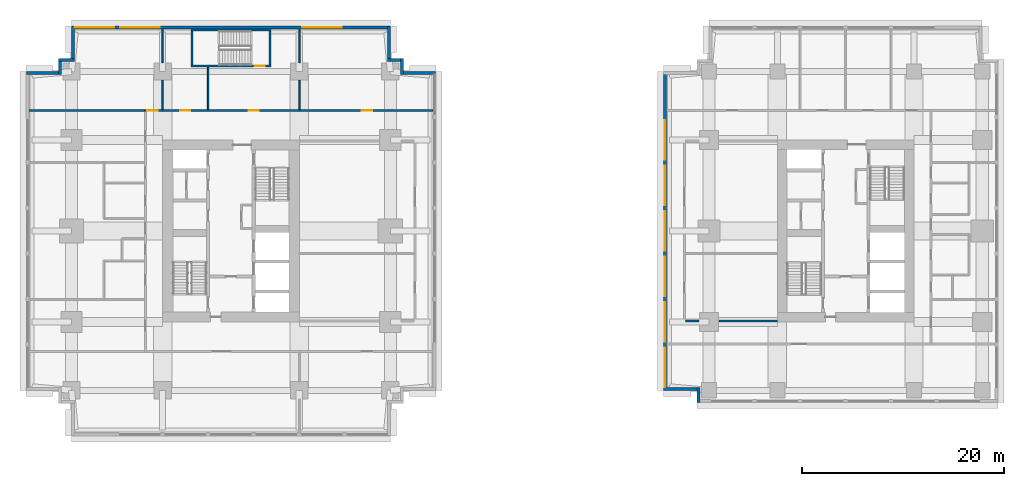
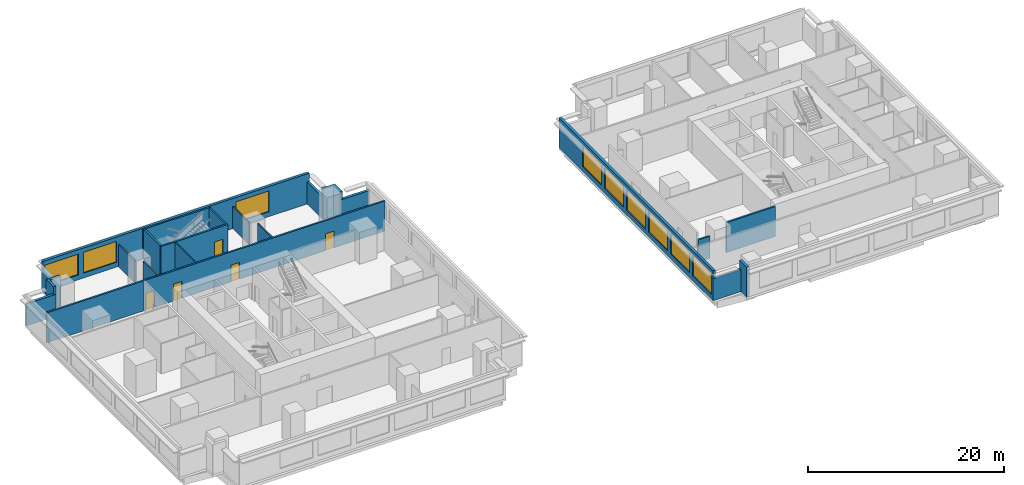
# One storey, part 5 of 10: 25 walls, 9 windows, 5 doors, 14 openings.
"""IFC4 building model written with IfcOpenShell, lengths in metres."""

from ifc_helpers import new_model, si_unit, direction, frame, frame_2d, origin, place, context, subcontext, project, spatial, rectangle, extrude, material, layer, layer_set, type_object, element, fill, save


model = new_model("IFC4")

# Units and contexts
model_context = context("Model", 3, precision=1e-05, world=origin(), true_north=direction((0.0, 1.0)))
body_context = subcontext(model_context, "Body", "Model", "MODEL_VIEW")
ifc_project = project(units=[si_unit("LENGTHUNIT", "METRE"), si_unit("AREAUNIT", "SQUARE_METRE"), si_unit("VOLUMEUNIT", "CUBIC_METRE"), si_unit("PLANEANGLEUNIT", "RADIAN"), si_unit("MASSUNIT", "GRAM", prefix="KILO")], contexts=[model_context])

# Site, building, storey
site_placement = place(None, origin())
site = spatial("IfcSite", under=ifc_project, at=site_placement, CompositionType="ELEMENT")
building_placement = place(site_placement, origin())
building = spatial("IfcBuilding", under=site, at=building_placement, Name="Namib Vertical Campus", CompositionType="ELEMENT")
storey_placement = place(building_placement, frame((0.0, 0.0, 165.0)))
storey = spatial("IfcBuildingStorey", under=building, at=storey_placement, Name="L39", CompositionType="ELEMENT", Elevation=165.0)

# Wall, openings, doors
ifc_material_1 = material(Name="Concrete masonry", Category="masonry")
ifc_layer_1 = layer(ifc_material_1, 0.199951171875)
ifc_layer_set_1 = layer_set([ifc_layer_1], Name="Corridor wall 200")
wall_type_1 = type_object("IfcWallType", Name="Corridor wall 200", PredefinedType="SOLIDWALL", material=ifc_layer_set_1)
wall_1_placement = place(storey_placement, frame((40.199951171875, 32.14990234375, 0.0), z_axis=(0.0, 0.0, 1.0), x_axis=(-1.0, 0.0, 0.0)))
wall_1 = element("IfcWall", 1, at=wall_1_placement, inside=storey, type_object=wall_type_1, Name="Corridor wall A L39 CN", PredefinedType="SOLIDWALL", context=body_context, shape_type="SweptSolid", body=[
    extrude(rectangle(XDim=28.5, YDim=0.199951171875, at=frame_2d((14.25, 0.0))), origin(), (0.0, 0.0, 1.0), 3.75),
])
opening_1_placement = place(wall_1_placement, frame((27.199951171875, 0.0, 0.0)))
opening_1 = element("IfcOpeningElement", 2, at=opening_1_placement, cuts=wall_1, Name="Opening CD1", PredefinedType="OPENING", context=body_context, shape_type="SweptSolid", body=[
    extrude(rectangle(XDim=1.0, YDim=2.10009765625, at=frame_2d((0.5, 1.050048828125))), frame((0.0, 0.10986328125, 0.0), z_axis=(0.0, -1.0, 0.0), x_axis=(1.0, 0.0, 0.0)), (0.0, 0.0, 1.0), 0.219970703125),
])
opening_2_placement = place(wall_1_placement, frame((23.949951171875, 0.0, 0.0)))
opening_2 = element("IfcOpeningElement", 3, at=opening_2_placement, cuts=wall_1, Name="Opening CD1", PredefinedType="OPENING", context=body_context, shape_type="SweptSolid", body=[
    extrude(rectangle(XDim=1.0, YDim=2.10009765625, at=frame_2d((0.5, 1.050048828125))), frame((0.0, 0.10986328125, 0.0), z_axis=(0.0, -1.0, 0.0), x_axis=(1.0, 0.0, 0.0)), (0.0, 0.0, 1.0), 0.219970703125),
])
opening_3_placement = place(wall_1_placement, frame((17.199951171875, 0.0, 0.0)))
opening_3 = element("IfcOpeningElement", 4, at=opening_3_placement, cuts=wall_1, Name="Opening CD1", PredefinedType="OPENING", context=body_context, shape_type="SweptSolid", body=[
    extrude(rectangle(XDim=1.0, YDim=2.10009765625, at=frame_2d((0.5, 1.050048828125))), frame((0.0, 0.10986328125, 0.0), z_axis=(0.0, -1.0, 0.0), x_axis=(1.0, 0.0, 0.0)), (0.0, 0.0, 1.0), 0.219970703125),
])
opening_4_placement = place(wall_1_placement, frame((6.0, 0.0, 0.0)))
opening_4 = element("IfcOpeningElement", 5, at=opening_4_placement, cuts=wall_1, Name="Opening CD1", PredefinedType="OPENING", context=body_context, shape_type="SweptSolid", body=[
    extrude(rectangle(XDim=1.0, YDim=2.10009765625, at=frame_2d((0.5, 1.050048828125))), frame((0.0, 0.10986328125, 0.0), z_axis=(0.0, -1.0, 0.0), x_axis=(1.0, 0.0, 0.0)), (0.0, 0.0, 1.0), 0.219970703125),
])
ifc_material_2 = material(Name="Timber fire door leaf", Category="wood")
door_type_1 = type_object("IfcDoorType", Name="Corridor door 1000x2100 20 min", OperationType="SINGLE_SWING_LEFT", PredefinedType="DOOR", material=ifc_material_2)
door_1_placement = place(opening_1_placement, frame((1.0, 0.0, 0.0), z_axis=(0.0, 0.0, 1.0), x_axis=(-1.0, 0.0, 0.0)))
door_1 = element("IfcDoor", 6, at=door_1_placement, inside=storey, type_object=door_type_1, Name="Door CD1 A39-05", OperationType="SINGLE_SWING_RIGHT", OverallHeight=2.10009765625, OverallWidth=1.0, PredefinedType="DOOR", context=body_context, shape_type="SweptSolid", body=[
    extrude(rectangle(XDim=1.0, YDim=2.10009765625, at=frame_2d((0.5, 1.050048828125))), frame((0.0, 0.02490234375, 0.0), z_axis=(0.0, -1.0, 0.0), x_axis=(1.0, 0.0, 0.0)), (0.0, 0.0, 1.0), 0.050048828125),
])
fill(opening_1, door_1)
door_2_placement = place(opening_2_placement, frame((1.0, 0.0, 0.0), z_axis=(0.0, 0.0, 1.0), x_axis=(-1.0, 0.0, 0.0)))
door_2 = element("IfcDoor", 7, at=door_2_placement, inside=storey, type_object=door_type_1, Name="Door CD1 A39-06", OperationType="SINGLE_SWING_RIGHT", OverallHeight=2.10009765625, OverallWidth=1.0, PredefinedType="DOOR", context=body_context, shape_type="SweptSolid", body=[
    extrude(rectangle(XDim=1.0, YDim=2.10009765625, at=frame_2d((0.5, 1.050048828125))), frame((0.0, 0.02490234375, 0.0), z_axis=(0.0, -1.0, 0.0), x_axis=(1.0, 0.0, 0.0)), (0.0, 0.0, 1.0), 0.050048828125),
])
fill(opening_2, door_2)
door_3_placement = place(opening_3_placement, frame((1.0, 0.0, 0.0), z_axis=(0.0, 0.0, 1.0), x_axis=(-1.0, 0.0, 0.0)))
door_3 = element("IfcDoor", 8, at=door_3_placement, inside=storey, type_object=door_type_1, Name="Door CD1 A39-07", OperationType="SINGLE_SWING_RIGHT", OverallHeight=2.10009765625, OverallWidth=1.0, PredefinedType="DOOR", context=body_context, shape_type="SweptSolid", body=[
    extrude(rectangle(XDim=1.0, YDim=2.10009765625, at=frame_2d((0.5, 1.050048828125))), frame((0.0, 0.02490234375, 0.0), z_axis=(0.0, -1.0, 0.0), x_axis=(1.0, 0.0, 0.0)), (0.0, 0.0, 1.0), 0.050048828125),
])
fill(opening_3, door_3)
door_4_placement = place(opening_4_placement, frame((1.0, 0.0, 0.0), z_axis=(0.0, 0.0, 1.0), x_axis=(-1.0, 0.0, 0.0)))
door_4 = element("IfcDoor", 9, at=door_4_placement, inside=storey, type_object=door_type_1, Name="Door CD1 A39-08", OperationType="SINGLE_SWING_LEFT", OverallHeight=2.10009765625, OverallWidth=1.0, PredefinedType="DOOR", context=body_context, shape_type="SweptSolid", body=[
    extrude(rectangle(XDim=1.0, YDim=2.10009765625, at=frame_2d((0.5, 1.050048828125))), frame((0.0, 0.02490234375, 0.0), z_axis=(0.0, -1.0, 0.0), x_axis=(1.0, 0.0, 0.0)), (0.0, 0.0, 1.0), 0.050048828125),
])
fill(opening_4, door_4)

# Walls
wall_2_placement = place(storey_placement, frame((0.300048828125, 32.14990234375, 0.0), z_axis=(0.0, 0.0, 1.0), x_axis=(1.0, 0.0, 0.0)))
element("IfcWall", 10, at=wall_2_placement, inside=storey, type_object=wall_type_1, Name="Partition A L39 BNW", PredefinedType="SOLIDWALL", context=body_context, shape_type="SweptSolid", body=[
    extrude(rectangle(XDim=11.39990234375, YDim=0.199951171875, at=frame_2d((5.699951171875, 0.0))), origin(), (0.0, 0.0, 1.0), 3.75),
])
wall_3_placement = place(storey_placement, frame((65.14990234375, 11.35009765625, 0.0), z_axis=(0.0, 0.0, 1.0), x_axis=(1.0, 0.0, 0.0)))
element("IfcWall", 11, at=wall_3_placement, inside=storey, type_object=wall_type_1, Name="Corridor wall B L39 GS", PredefinedType="SOLIDWALL", context=body_context, shape_type="SweptSolid", body=[
    extrude(rectangle(XDim=1.380126953125, YDim=0.199951171875, at=frame_2d((0.68994140625, 0.0))), origin(), (0.0, 0.0, 1.0), 2.75),
])
wall_4_placement = place(storey_placement, frame((68.469970703125, 11.35009765625, 0.0), z_axis=(0.0, 0.0, 1.0), x_axis=(1.0, 0.0, 0.0)))
element("IfcWall", 12, at=wall_4_placement, inside=storey, type_object=wall_type_1, Name="Corridor wall B L39 GS", PredefinedType="SOLIDWALL", context=body_context, shape_type="SweptSolid", body=[
    extrude(rectangle(XDim=5.780029296875, YDim=0.199951171875, at=frame_2d((2.89013671875, 0.0))), origin(), (0.0, 0.0, 1.0), 3.75),
])
ifc_material_3 = material(Name="Concrete C40/50", Category="concrete")
ifc_layer_2 = layer(ifc_material_3, 0.300048828125)
ifc_layer_set_2 = layer_set([ifc_layer_2], Name="Concrete C40/50")
wall_type_2 = type_object("IfcWallType", Name="External wall 300 board-marked concrete", PredefinedType="STANDARD", material=ifc_layer_set_2)
wall_5_placement = place(storey_placement, frame((40.47998046875, 35.85009765625, 0.0), z_axis=(0.0, 0.0, 1.0), x_axis=(-1.0, 0.0, 0.0)))
element("IfcWall", 13, at=wall_5_placement, inside=storey, type_object=wall_type_2, Name="External wall L39 F07", PredefinedType="STANDARD", context=body_context, shape_type="SweptSolid", body=[
    extrude(rectangle(XDim=3.4599609375, YDim=0.300048828125, at=frame_2d((1.72998046875, 0.0))), origin(), (0.0, 0.0, 1.0), 2.75),
])
for number, where, z_axis, x_axis, name in (
    (14, (37.14990234375, 35.719970703125, 0.0), (0.0, 0.0, 1.0), (0.0, 1.0, 0.0), "External wall L39 F08"),
    (15, (37.280029296875, 37.14990234375, 0.0), (0.0, 0.0, 1.0), (-1.0, 0.0, 0.0), "External wall L39 F09"),
):
    element("IfcWall", number, at=place(storey_placement, frame(where, z_axis=z_axis, x_axis=x_axis)), inside=storey, type_object=wall_type_2, Name=name, PredefinedType="STANDARD", context=body_context, shape_type="SweptSolid", body=[
        extrude(rectangle(XDim=1.56005859375, YDim=0.300048828125, at=frame_2d((0.780029296875, 0.0))), origin(), (0.0, 0.0, 1.0), 3.75),
    ])
wall_6_placement = place(storey_placement, frame((35.85009765625, 37.02001953125, 0.0), z_axis=(0.0, 0.0, 1.0), x_axis=(0.0, 1.0, 0.0)))
element("IfcWall", 16, at=wall_6_placement, inside=storey, type_object=wall_type_2, Name="External wall L39 F10", PredefinedType="STANDARD", context=body_context, shape_type="SweptSolid", body=[
    extrude(rectangle(XDim=3.4599609375, YDim=0.300048828125, at=frame_2d((1.72998046875, 0.0))), origin(), (0.0, 0.0, 1.0), 2.75),
])

# Wall, openings, windows
wall_7_placement = place(storey_placement, frame((35.97998046875, 40.35009765625, 0.0), z_axis=(0.0, 0.0, 1.0), x_axis=(-1.0, 0.0, 0.0)))
wall_7 = element("IfcWall", 17, at=wall_7_placement, inside=storey, type_object=wall_type_2, Name="External wall L39 F11", PredefinedType="STANDARD", context=body_context, shape_type="SweptSolid", body=[
    extrude(rectangle(XDim=31.4599609375, YDim=0.300048828125, at=frame_2d((15.72998046875, 0.0))), origin(), (0.0, 0.0, 1.0), 3.75),
])
opening_5_placement = place(wall_7_placement, frame((27.280029296875, 0.0, 0.60009765625)))
opening_5 = element("IfcOpeningElement", 18, at=opening_5_placement, cuts=wall_7, Name="Opening W2", PredefinedType="OPENING", context=body_context, shape_type="SweptSolid", body=[
    extrude(rectangle(XDim=3.89990234375, YDim=2.60009765625, at=frame_2d((1.949951171875, 1.300048828125))), frame((0.0, 0.159912109375, 0.0), z_axis=(0.0, -1.0, 0.0), x_axis=(1.0, 0.0, 0.0)), (0.0, 0.0, 1.0), 0.320068359375),
])
opening_6_placement = place(wall_7_placement, frame((22.780029296875, 0.0, 0.60009765625)))
opening_6 = element("IfcOpeningElement", 19, at=opening_6_placement, cuts=wall_7, Name="Opening W2", PredefinedType="OPENING", context=body_context, shape_type="SweptSolid", body=[
    extrude(rectangle(XDim=3.89990234375, YDim=2.60009765625, at=frame_2d((1.949951171875, 1.300048828125))), frame((0.0, 0.159912109375, 0.0), z_axis=(0.0, -1.0, 0.0), x_axis=(1.0, 0.0, 0.0)), (0.0, 0.0, 1.0), 0.320068359375),
])
opening_7_placement = place(wall_7_placement, frame((4.780029296875, 0.0, 0.60009765625)))
opening_7 = element("IfcOpeningElement", 20, at=opening_7_placement, cuts=wall_7, Name="Opening W2", PredefinedType="OPENING", context=body_context, shape_type="SweptSolid", body=[
    extrude(rectangle(XDim=3.89990234375, YDim=2.60009765625, at=frame_2d((1.949951171875, 1.300048828125))), frame((0.0, 0.159912109375, 0.0), z_axis=(0.0, -1.0, 0.0), x_axis=(1.0, 0.0, 0.0)), (0.0, 0.0, 1.0), 0.320068359375),
])
ifc_material_4 = material(Name="Dark tinted glass in black aluminium frame", Category="aluminium")
window_type = type_object("IfcWindowType", Name="Ribbon window 3900x2600", PartitioningType="SINGLE_PANEL", PredefinedType="WINDOW", material=ifc_material_4)
window_1_placement = place(opening_5_placement, origin())
window_1 = element("IfcWindow", 21, at=window_1_placement, inside=storey, type_object=window_type, Name="Window W2 L39 F11-1", OverallHeight=2.60009765625, OverallWidth=3.89990234375, PartitioningType="SINGLE_PANEL", PredefinedType="WINDOW", context=body_context, shape_type="SweptSolid", body=[
    extrude(rectangle(XDim=3.89990234375, YDim=2.60009765625, at=frame_2d((1.949951171875, 1.300048828125))), frame((0.0, 0.030029296875, 0.0), z_axis=(0.0, -1.0, 0.0), x_axis=(1.0, 0.0, 0.0)), (0.0, 0.0, 1.0), 0.06005859375),
])
fill(opening_5, window_1)
window_2_placement = place(opening_6_placement, origin())
window_2 = element("IfcWindow", 22, at=window_2_placement, inside=storey, type_object=window_type, Name="Window W2 L39 F11-2", OverallHeight=2.60009765625, OverallWidth=3.89990234375, PartitioningType="SINGLE_PANEL", PredefinedType="WINDOW", context=body_context, shape_type="SweptSolid", body=[
    extrude(rectangle(XDim=3.89990234375, YDim=2.60009765625, at=frame_2d((1.949951171875, 1.300048828125))), frame((0.0, 0.030029296875, 0.0), z_axis=(0.0, -1.0, 0.0), x_axis=(1.0, 0.0, 0.0)), (0.0, 0.0, 1.0), 0.06005859375),
])
fill(opening_6, window_2)
window_3_placement = place(opening_7_placement, origin())
window_3 = element("IfcWindow", 23, at=window_3_placement, inside=storey, type_object=window_type, Name="Window W2 L39 F11-6", OverallHeight=2.60009765625, OverallWidth=3.89990234375, PartitioningType="SINGLE_PANEL", PredefinedType="WINDOW", context=body_context, shape_type="SweptSolid", body=[
    extrude(rectangle(XDim=3.89990234375, YDim=2.60009765625, at=frame_2d((1.949951171875, 1.300048828125))), frame((0.0, 0.030029296875, 0.0), z_axis=(0.0, -1.0, 0.0), x_axis=(1.0, 0.0, 0.0)), (0.0, 0.0, 1.0), 0.06005859375),
])
fill(opening_7, window_3)

# Walls
wall_8_placement = place(storey_placement, frame((4.64990234375, 40.47998046875, 0.0), z_axis=(0.0, 0.0, 1.0), x_axis=(0.0, -1.0, 0.0)))
element("IfcWall", 24, at=wall_8_placement, inside=storey, type_object=wall_type_2, Name="External wall L39 F12", PredefinedType="STANDARD", context=body_context, shape_type="SweptSolid", body=[
    extrude(rectangle(XDim=3.4599609375, YDim=0.300048828125, at=frame_2d((1.72998046875, 0.0))), origin(), (0.0, 0.0, 1.0), 2.75),
])
for number, where, z_axis, x_axis, name in (
    (25, (4.780029296875, 37.14990234375, 0.0), (0.0, 0.0, 1.0), (-1.0, 0.0, 0.0), "External wall L39 F13"),
    (26, (3.35009765625, 37.280029296875, 0.0), (0.0, 0.0, 1.0), (0.0, -1.0, 0.0), "External wall L39 F14"),
):
    element("IfcWall", number, at=place(storey_placement, frame(where, z_axis=z_axis, x_axis=x_axis)), inside=storey, type_object=wall_type_2, Name=name, PredefinedType="STANDARD", context=body_context, shape_type="SweptSolid", body=[
        extrude(rectangle(XDim=1.56005859375, YDim=0.300048828125, at=frame_2d((0.780029296875, 0.0))), origin(), (0.0, 0.0, 1.0), 3.75),
    ])
wall_9_placement = place(storey_placement, frame((3.47998046875, 35.85009765625, 0.0), z_axis=(0.0, 0.0, 1.0), x_axis=(-1.0, 0.0, 0.0)))
element("IfcWall", 27, at=wall_9_placement, inside=storey, type_object=wall_type_2, Name="External wall L39 F15", PredefinedType="STANDARD", context=body_context, shape_type="SweptSolid", body=[
    extrude(rectangle(XDim=3.4599609375, YDim=0.300048828125, at=frame_2d((1.72998046875, 0.0))), origin(), (0.0, 0.0, 1.0), 2.75),
])
wall_10_placement = place(storey_placement, frame((63.02001953125, 4.64990234375, 0.0), z_axis=(0.0, 0.0, 1.0), x_axis=(1.0, 0.0, 0.0)))
element("IfcWall", 28, at=wall_10_placement, inside=storey, type_object=wall_type_2, Name="External wall L39 F01", PredefinedType="STANDARD", context=body_context, shape_type="SweptSolid", body=[
    extrude(rectangle(XDim=3.56005859375, YDim=0.300048828125, at=frame_2d((1.780029296875, 0.0))), origin(), (0.0, 0.0, 1.0), 2.75),
])
wall_11_placement = place(storey_placement, frame((66.449951171875, 4.780029296875, 0.0), z_axis=(0.0, 0.0, 1.0), x_axis=(0.0, -1.0, 0.0)))
element("IfcWall", 29, at=wall_11_placement, inside=storey, type_object=wall_type_2, Name="External wall L39 F02", PredefinedType="STANDARD", context=body_context, shape_type="SweptSolid", body=[
    extrude(rectangle(XDim=1.4599609375, YDim=0.300048828125, at=frame_2d((0.72998046875, 0.0))), origin(), (0.0, 0.0, 1.0), 3.75),
])

# Wall, openings, windows
wall_12_placement = place(storey_placement, frame((63.14990234375, 35.97998046875, 0.0), z_axis=(0.0, 0.0, 1.0), x_axis=(0.0, -1.0, 0.0)))
wall_12 = element("IfcWall", 30, at=wall_12_placement, inside=storey, type_object=wall_type_2, Name="External wall L39 F12", PredefinedType="STANDARD", context=body_context, shape_type="SweptSolid", body=[
    extrude(rectangle(XDim=31.4599609375, YDim=0.300048828125, at=frame_2d((15.72998046875, 0.0))), origin(), (0.0, 0.0, 1.0), 3.75),
])
opening_8_placement = place(wall_12_placement, frame((27.280029296875, 0.0, 0.60009765625)))
opening_8 = element("IfcOpeningElement", 31, at=opening_8_placement, cuts=wall_12, Name="Opening W2", PredefinedType="OPENING", context=body_context, shape_type="SweptSolid", body=[
    extrude(rectangle(XDim=3.89990234375, YDim=2.60009765625, at=frame_2d((1.949951171875, 1.300048828125))), frame((0.0, 0.159912109375, 0.0), z_axis=(0.0, -1.0, 0.0), x_axis=(1.0, 0.0, 0.0)), (0.0, 0.0, 1.0), 0.320068359375),
])
opening_9_placement = place(wall_12_placement, frame((22.780029296875, 0.0, 0.60009765625)))
opening_9 = element("IfcOpeningElement", 32, at=opening_9_placement, cuts=wall_12, Name="Opening W2", PredefinedType="OPENING", context=body_context, shape_type="SweptSolid", body=[
    extrude(rectangle(XDim=3.89990234375, YDim=2.60009765625, at=frame_2d((1.949951171875, 1.300048828125))), frame((0.0, 0.159912109375, 0.0), z_axis=(0.0, -1.0, 0.0), x_axis=(1.0, 0.0, 0.0)), (0.0, 0.0, 1.0), 0.320068359375),
])
opening_10_placement = place(wall_12_placement, frame((18.280029296875, 0.0, 0.60009765625)))
opening_10 = element("IfcOpeningElement", 33, at=opening_10_placement, cuts=wall_12, Name="Opening W2", PredefinedType="OPENING", context=body_context, shape_type="SweptSolid", body=[
    extrude(rectangle(XDim=3.89990234375, YDim=2.60009765625, at=frame_2d((1.949951171875, 1.300048828125))), frame((0.0, 0.159912109375, 0.0), z_axis=(0.0, -1.0, 0.0), x_axis=(1.0, 0.0, 0.0)), (0.0, 0.0, 1.0), 0.320068359375),
])
opening_11_placement = place(wall_12_placement, frame((13.780029296875, 0.0, 0.60009765625)))
opening_11 = element("IfcOpeningElement", 34, at=opening_11_placement, cuts=wall_12, Name="Opening W2", PredefinedType="OPENING", context=body_context, shape_type="SweptSolid", body=[
    extrude(rectangle(XDim=3.89990234375, YDim=2.60009765625, at=frame_2d((1.949951171875, 1.300048828125))), frame((0.0, 0.159912109375, 0.0), z_axis=(0.0, -1.0, 0.0), x_axis=(1.0, 0.0, 0.0)), (0.0, 0.0, 1.0), 0.320068359375),
])
opening_12_placement = place(wall_12_placement, frame((9.280029296875, 0.0, 0.60009765625)))
opening_12 = element("IfcOpeningElement", 35, at=opening_12_placement, cuts=wall_12, Name="Opening W2", PredefinedType="OPENING", context=body_context, shape_type="SweptSolid", body=[
    extrude(rectangle(XDim=3.89990234375, YDim=2.60009765625, at=frame_2d((1.949951171875, 1.300048828125))), frame((0.0, 0.159912109375, 0.0), z_axis=(0.0, -1.0, 0.0), x_axis=(1.0, 0.0, 0.0)), (0.0, 0.0, 1.0), 0.320068359375),
])
opening_13_placement = place(wall_12_placement, frame((4.780029296875, 0.0, 0.60009765625)))
opening_13 = element("IfcOpeningElement", 36, at=opening_13_placement, cuts=wall_12, Name="Opening W2", PredefinedType="OPENING", context=body_context, shape_type="SweptSolid", body=[
    extrude(rectangle(XDim=3.89990234375, YDim=2.60009765625, at=frame_2d((1.949951171875, 1.300048828125))), frame((0.0, 0.159912109375, 0.0), z_axis=(0.0, -1.0, 0.0), x_axis=(1.0, 0.0, 0.0)), (0.0, 0.0, 1.0), 0.320068359375),
])
window_4_placement = place(opening_8_placement, origin())
window_4 = element("IfcWindow", 37, at=window_4_placement, inside=storey, type_object=window_type, Name="Window W2 L39 F12-1", OverallHeight=2.60009765625, OverallWidth=3.89990234375, PartitioningType="SINGLE_PANEL", PredefinedType="WINDOW", context=body_context, shape_type="SweptSolid", body=[
    extrude(rectangle(XDim=3.89990234375, YDim=2.60009765625, at=frame_2d((1.949951171875, 1.300048828125))), frame((0.0, 0.030029296875, 0.0), z_axis=(0.0, -1.0, 0.0), x_axis=(1.0, 0.0, 0.0)), (0.0, 0.0, 1.0), 0.06005859375),
])
fill(opening_8, window_4)
window_5_placement = place(opening_9_placement, origin())
window_5 = element("IfcWindow", 38, at=window_5_placement, inside=storey, type_object=window_type, Name="Window W2 L39 F12-2", OverallHeight=2.60009765625, OverallWidth=3.89990234375, PartitioningType="SINGLE_PANEL", PredefinedType="WINDOW", context=body_context, shape_type="SweptSolid", body=[
    extrude(rectangle(XDim=3.89990234375, YDim=2.60009765625, at=frame_2d((1.949951171875, 1.300048828125))), frame((0.0, 0.030029296875, 0.0), z_axis=(0.0, -1.0, 0.0), x_axis=(1.0, 0.0, 0.0)), (0.0, 0.0, 1.0), 0.06005859375),
])
fill(opening_9, window_5)
window_6_placement = place(opening_10_placement, origin())
window_6 = element("IfcWindow", 39, at=window_6_placement, inside=storey, type_object=window_type, Name="Window W2 L39 F12-3", OverallHeight=2.60009765625, OverallWidth=3.89990234375, PartitioningType="SINGLE_PANEL", PredefinedType="WINDOW", context=body_context, shape_type="SweptSolid", body=[
    extrude(rectangle(XDim=3.89990234375, YDim=2.60009765625, at=frame_2d((1.949951171875, 1.300048828125))), frame((0.0, 0.030029296875, 0.0), z_axis=(0.0, -1.0, 0.0), x_axis=(1.0, 0.0, 0.0)), (0.0, 0.0, 1.0), 0.06005859375),
])
fill(opening_10, window_6)
window_7_placement = place(opening_11_placement, origin())
window_7 = element("IfcWindow", 40, at=window_7_placement, inside=storey, type_object=window_type, Name="Window W2 L39 F12-4", OverallHeight=2.60009765625, OverallWidth=3.89990234375, PartitioningType="SINGLE_PANEL", PredefinedType="WINDOW", context=body_context, shape_type="SweptSolid", body=[
    extrude(rectangle(XDim=3.89990234375, YDim=2.60009765625, at=frame_2d((1.949951171875, 1.300048828125))), frame((0.0, 0.030029296875, 0.0), z_axis=(0.0, -1.0, 0.0), x_axis=(1.0, 0.0, 0.0)), (0.0, 0.0, 1.0), 0.06005859375),
])
fill(opening_11, window_7)
window_8_placement = place(opening_12_placement, origin())
window_8 = element("IfcWindow", 41, at=window_8_placement, inside=storey, type_object=window_type, Name="Window W2 L39 F12-5", OverallHeight=2.60009765625, OverallWidth=3.89990234375, PartitioningType="SINGLE_PANEL", PredefinedType="WINDOW", context=body_context, shape_type="SweptSolid", body=[
    extrude(rectangle(XDim=3.89990234375, YDim=2.60009765625, at=frame_2d((1.949951171875, 1.300048828125))), frame((0.0, 0.030029296875, 0.0), z_axis=(0.0, -1.0, 0.0), x_axis=(1.0, 0.0, 0.0)), (0.0, 0.0, 1.0), 0.06005859375),
])
fill(opening_12, window_8)
window_9_placement = place(opening_13_placement, origin())
window_9 = element("IfcWindow", 42, at=window_9_placement, inside=storey, type_object=window_type, Name="Window W2 L39 F12-6", OverallHeight=2.60009765625, OverallWidth=3.89990234375, PartitioningType="SINGLE_PANEL", PredefinedType="WINDOW", context=body_context, shape_type="SweptSolid", body=[
    extrude(rectangle(XDim=3.89990234375, YDim=2.60009765625, at=frame_2d((1.949951171875, 1.300048828125))), frame((0.0, 0.030029296875, 0.0), z_axis=(0.0, -1.0, 0.0), x_axis=(1.0, 0.0, 0.0)), (0.0, 0.0, 1.0), 0.06005859375),
])
fill(opening_13, window_9)

# Walls
ifc_material_5 = material(Name="Gypsum board on steel studs", Category="steel")
ifc_layer_3 = layer(ifc_material_5, 0.14990234375)
ifc_layer_set_3 = layer_set([ifc_layer_3], Name="Gypsum board on steel studs")
wall_type_3 = type_object("IfcWallType", Name="Partition 150", PredefinedType="PARTITIONING", material=ifc_layer_set_3)
wall_13_placement = place(storey_placement, frame((13.5, 32.25, 0.0), z_axis=(0.0, 0.0, 1.0), x_axis=(0.0, 1.0, 0.0)))
element("IfcWall", 43, at=wall_13_placement, inside=storey, type_object=wall_type_3, Name="Partition A L39 PN1", PredefinedType="PARTITIONING", context=body_context, shape_type="SweptSolid", body=[
    extrude(rectangle(XDim=2.8798828125, YDim=0.14990234375, at=frame_2d((1.43994140625, 0.0))), origin(), (0.0, 0.0, 1.0), 3.75),
])
wall_14_placement = place(storey_placement, frame((13.5, 36.8701171875, 0.0), z_axis=(0.0, 0.0, 1.0), x_axis=(0.0, 1.0, 0.0)))
element("IfcWall", 44, at=wall_14_placement, inside=storey, type_object=wall_type_3, Name="Partition A L39 PN1", PredefinedType="PARTITIONING", context=body_context, shape_type="SweptSolid", body=[
    extrude(rectangle(XDim=3.329833984375, YDim=0.14990234375, at=frame_2d((1.6650390625, 0.0))), origin(), (0.0, 0.0, 1.0), 2.75),
])
wall_15_placement = place(storey_placement, frame((18.0, 32.25, 0.0), z_axis=(0.0, 0.0, 1.0), x_axis=(0.0, 1.0, 0.0)))
element("IfcWall", 45, at=wall_15_placement, inside=storey, type_object=wall_type_3, Name="Partition A L39 PN2", PredefinedType="PARTITIONING", context=body_context, shape_type="SweptSolid", body=[
    extrude(rectangle(XDim=4.199951171875, YDim=0.14990234375, at=frame_2d((2.10009765625, 0.0))), origin(), (0.0, 0.0, 1.0), 3.75),
])
wall_16_placement = place(storey_placement, frame((27.0, 32.25, 0.0), z_axis=(0.0, 0.0, 1.0), x_axis=(0.0, 1.0, 0.0)))
element("IfcWall", 46, at=wall_16_placement, inside=storey, type_object=wall_type_3, Name="Partition A L39 PN3", PredefinedType="PARTITIONING", context=body_context, shape_type="SweptSolid", body=[
    extrude(rectangle(XDim=2.8798828125, YDim=0.14990234375, at=frame_2d((1.43994140625, 0.0))), origin(), (0.0, 0.0, 1.0), 3.75),
])
wall_17_placement = place(storey_placement, frame((27.0, 36.8701171875, 0.0), z_axis=(0.0, 0.0, 1.0), x_axis=(0.0, 1.0, 0.0)))
element("IfcWall", 47, at=wall_17_placement, inside=storey, type_object=wall_type_3, Name="Partition A L39 PN3", PredefinedType="PARTITIONING", context=body_context, shape_type="SweptSolid", body=[
    extrude(rectangle(XDim=3.329833984375, YDim=0.14990234375, at=frame_2d((1.6650390625, 0.0))), origin(), (0.0, 0.0, 1.0), 2.75),
])

# Wall, opening, door
ifc_material_6 = material(Name="Concrete C40/50", Category="concrete")
ifc_layer_4 = layer(ifc_material_6, 0.199951171875)
ifc_layer_set_4 = layer_set([ifc_layer_4], Name="Concrete C40/50")
wall_type_4 = type_object("IfcWallType", Name="Stair enclosure wall RC 200", PredefinedType="SOLIDWALL", material=ifc_layer_set_4)
wall_18_placement = place(storey_placement, frame((16.300048828125, 36.550048828125, 0.0), z_axis=(0.0, 0.0, 1.0), x_axis=(1.0, 0.0, 0.0)))
wall_18 = element("IfcWall", 48, at=wall_18_placement, inside=storey, type_object=wall_type_4, Name="Stair enclosure wall A-S3 L39 S", PredefinedType="SOLIDWALL", context=body_context, shape_type="SweptSolid", body=[
    extrude(rectangle(XDim=7.89990234375, YDim=0.199951171875, at=frame_2d((3.949951171875, 0.0))), origin(), (0.0, 0.0, 1.0), 3.75),
])
opening_14_placement = place(wall_18_placement, frame((6.300048828125, 0.0, 0.0)))
opening_14 = element("IfcOpeningElement", 49, at=opening_14_placement, cuts=wall_18, Name="Opening FD1", PredefinedType="OPENING", context=body_context, shape_type="SweptSolid", body=[
    extrude(rectangle(XDim=1.0, YDim=2.10009765625, at=frame_2d((0.5, 1.050048828125))), frame((0.0, 0.10986328125, 0.0), z_axis=(0.0, -1.0, 0.0), x_axis=(1.0, 0.0, 0.0)), (0.0, 0.0, 1.0), 0.219970703125),
])
ifc_material_7 = material(Name="Steel fire door", Category="steel")
door_type_2 = type_object("IfcDoorType", Name="Fire door 1000x2100", OperationType="SINGLE_SWING_RIGHT", PredefinedType="DOOR", material=ifc_material_7)
door_5_placement = place(opening_14_placement, origin())
door_5 = element("IfcDoor", 50, at=door_5_placement, inside=storey, type_object=door_type_2, Name="Stair door FD1 A L39 S3", OperationType="SINGLE_SWING_RIGHT", OverallHeight=2.10009765625, OverallWidth=1.0, PredefinedType="DOOR", context=body_context, shape_type="SweptSolid", body=[
    extrude(rectangle(XDim=1.0, YDim=2.10009765625, at=frame_2d((0.5, 1.050048828125))), frame((0.0, 0.02490234375, 0.0), z_axis=(0.0, -1.0, 0.0), x_axis=(1.0, 0.0, 0.0)), (0.0, 0.0, 1.0), 0.050048828125),
])
fill(opening_14, door_5)

# Walls
wall_19_placement = place(storey_placement, frame((16.300048828125, 40.10009765625, 0.0), z_axis=(0.0, 0.0, 1.0), x_axis=(1.0, 0.0, 0.0)))
element("IfcWall", 51, at=wall_19_placement, inside=storey, type_object=wall_type_4, Name="Stair enclosure wall A-S3 L39 N", PredefinedType="SOLIDWALL", context=body_context, shape_type="SweptSolid", body=[
    extrude(rectangle(XDim=7.89990234375, YDim=0.199951171875, at=frame_2d((3.949951171875, 0.0))), origin(), (0.0, 0.0, 1.0), 3.75),
])
for number, where, z_axis, x_axis, name in (
    (52, (16.39990234375, 36.64990234375, 0.0), (0.0, 0.0, 1.0), (0.0, 1.0, 0.0), "Stair enclosure wall A-S3 L39 W"),
    (53, (24.10009765625, 36.64990234375, 0.0), (0.0, 0.0, 1.0), (0.0, 1.0, 0.0), "Stair enclosure wall A-S3 L39 E"),
):
    element("IfcWall", number, at=place(storey_placement, frame(where, z_axis=z_axis, x_axis=x_axis)), inside=storey, type_object=wall_type_4, Name=name, PredefinedType="SOLIDWALL", context=body_context, shape_type="SweptSolid", body=[
        extrude(rectangle(XDim=3.35009765625, YDim=0.199951171875, at=frame_2d((1.675048828125, 0.0))), origin(), (0.0, 0.0, 1.0), 3.75),
    ])

save(model, "model.ifc")
